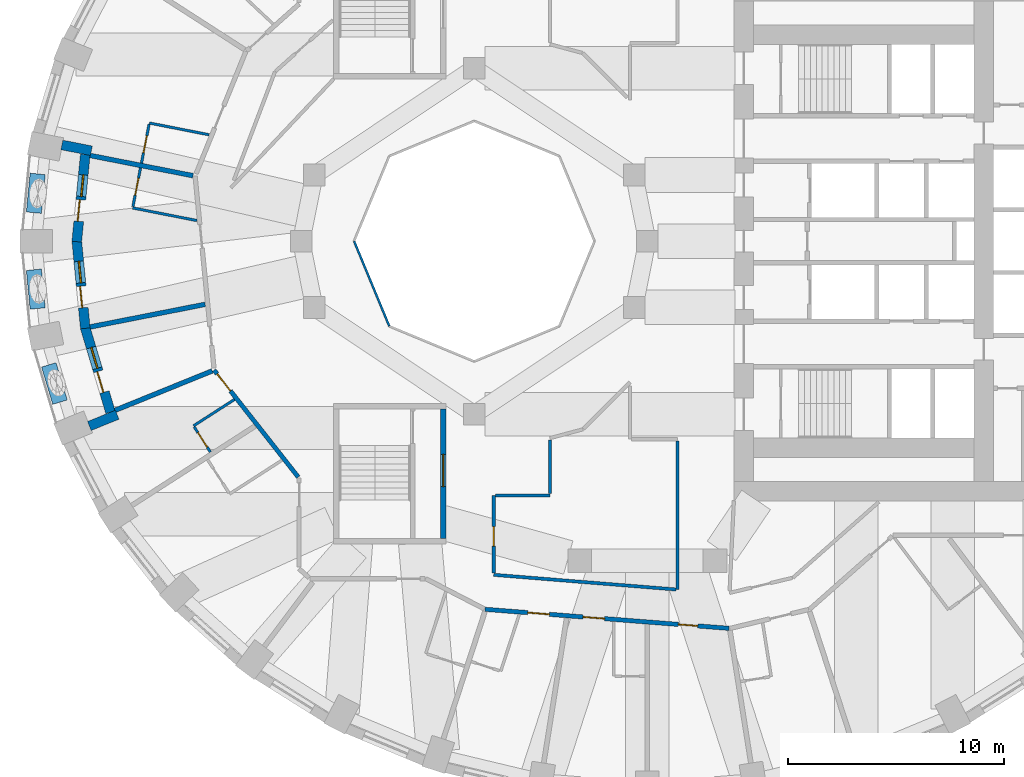
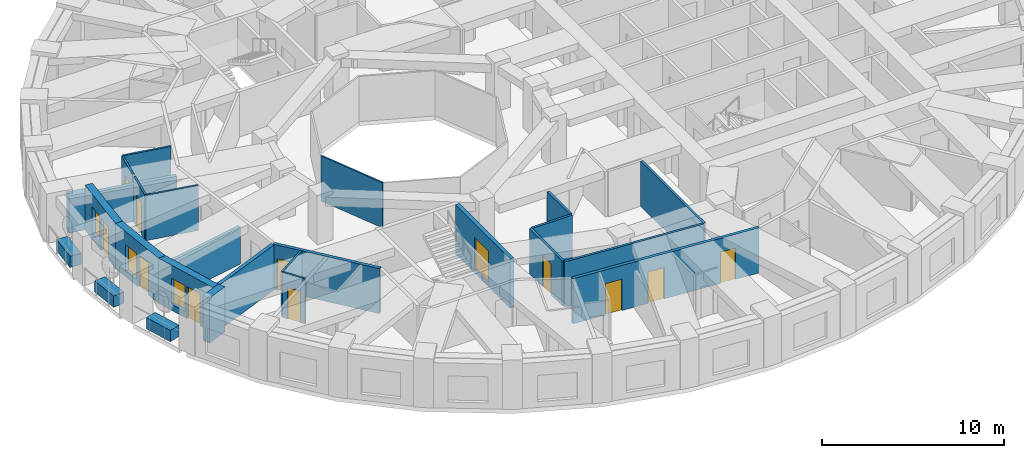
# One storey, part 4 of 13: 26 walls, 12 doors, 3 windows, 15 openings.
"""IFC4 building model written with IfcOpenShell, lengths in metres."""

from ifc_helpers import new_model, si_unit, direction, frame, frame_2d, origin, place, context, subcontext, project, spatial, rectangle, extrude, material, layer, layer_set, constituent, constituent_set, type_object, element, fill, save


model = new_model("IFC4")

# Units and contexts
model_context = context("Model", 3, precision=1e-05, world=origin(), true_north=direction((0.0, 1.0)))
body_context = subcontext(model_context, "Body", "Model", "MODEL_VIEW")
ifc_project = project(units=[si_unit("LENGTHUNIT", "METRE"), si_unit("AREAUNIT", "SQUARE_METRE"), si_unit("VOLUMEUNIT", "CUBIC_METRE"), si_unit("PLANEANGLEUNIT", "RADIAN"), si_unit("MASSUNIT", "GRAM", prefix="KILO")], contexts=[model_context])

# Site, building, storey
site_placement = place(None, origin())
site = spatial("IfcSite", under=ifc_project, at=site_placement, CompositionType="ELEMENT")
building_placement = place(site_placement, origin())
building = spatial("IfcBuilding", under=site, at=building_placement, Name="Taillehof Tower", CompositionType="ELEMENT")
storey_placement = place(building_placement, frame((0.0, 0.0, 67.89990234375)))
storey = spatial("IfcBuildingStorey", under=building, at=storey_placement, Name="L18", CompositionType="ELEMENT", Elevation=67.89990234375)

# Walls
ifc_material_1 = material(Name="Fire-resisting glass in steel frame", Category="steel")
ifc_layer_1 = layer(ifc_material_1, 0.10009765625)
ifc_layer_set_1 = layer_set([ifc_layer_1], Name="Atrium fire-resisting screen EI 60 100")
wall_type_1 = type_object("IfcWallType", Name="Atrium fire-resisting screen EI 60 100", PredefinedType="PARTITIONING", material=ifc_layer_set_1)
wall_1_placement = place(storey_placement, frame((-11.92724609375, -3.92724609375, 0.0), z_axis=(0.0, 0.0, 1.0), x_axis=(-0.382730523909, 0.923860025149, 0.0)))
element("IfcWall", 1, at=wall_1_placement, inside=storey, type_object=wall_type_1, Name="Atrium screen", PredefinedType="PARTITIONING", context=body_context, shape_type="SweptSolid", body=[
    extrude(rectangle(XDim=4.2509765625, YDim=0.10009765625, at=frame_2d((2.12548828125, 0.0))), origin(), (0.0, 0.0, 1.0), 3.02001953125),
])
ifc_material_2 = material(Name="Brick masonry", Category="masonry")
ifc_layer_2 = layer(ifc_material_2, 0.449951171875)
ifc_layer_set_2 = layer_set([ifc_layer_2], Name="Brick infill wall 450")
wall_type_2 = type_object("IfcWallType", Name="Brick infill wall 450", PredefinedType="SOLIDWALL", material=ifc_layer_set_2)
wall_2_placement = place(storey_placement, frame((-27.06396484375, 4.449951171875, 0.0), z_axis=(0.0, 0.0, 1.0), x_axis=(0.98123042829, -0.192838913596, 0.0)))
element("IfcWall", 2, at=wall_2_placement, inside=storey, type_object=wall_type_2, Name="Brick reveal L18 pocket 5", PredefinedType="SOLIDWALL", context=body_context, shape_type="SweptSolid", body=[
    extrude(rectangle(XDim=1.39013671875, YDim=0.449951171875, at=frame_2d((0.695068359375, 0.0))), origin(), (0.0, 0.0, 1.0), 2.47021484375),
])
wall_3_placement = place(storey_placement, frame((-25.795654296875, -8.54443359375, 0.0), z_axis=(0.0, 0.0, 1.0), x_axis=(0.926575599743, 0.376108572039, 0.0)))
element("IfcWall", 3, at=wall_3_placement, inside=storey, type_object=wall_type_2, Name="Brick reveal L18 pocket 5", PredefinedType="SOLIDWALL", context=body_context, shape_type="SweptSolid", body=[
    extrude(rectangle(XDim=1.390380859375, YDim=0.449951171875, at=frame_2d((0.6953125, 0.0))), origin(), (0.0, 0.0, 1.0), 3.02001953125),
])

# Wall, openings, door, window
wall_4_placement = place(storey_placement, frame((-25.982666015625, 4.008056640625, 0.0), z_axis=(0.0, 0.0, 1.0), x_axis=(-0.097133468736, -0.995271364629, 0.0)))
wall_4 = element("IfcWall", 4, at=wall_4_placement, inside=storey, type_object=wall_type_2, Name="Brick wall L18 pocket bay 18", PredefinedType="SOLIDWALL", context=body_context, shape_type="SweptSolid", body=[
    extrude(rectangle(XDim=4.049072265625, YDim=0.449951171875, at=frame_2d((2.0244140625, 0.0))), origin(), (0.0, 0.0, 1.0), 3.02001953125),
])
opening_1_placement = place(wall_4_placement, frame((0.949462890625, 0.0, 0.39990234375)))
opening_1 = element("IfcOpeningElement", 5, at=opening_1_placement, cuts=wall_4, Name="Opening W5", PredefinedType="OPENING", context=body_context, shape_type="SweptSolid", body=[
    extrude(rectangle(XDim=1.0, YDim=1.75, at=frame_2d((0.5, 0.875))), frame((0.0, 0.23486328125, 0.0), z_axis=(0.0, -1.0, 0.0), x_axis=(1.0, 0.0, 0.0)), (0.0, 0.0, 1.0), 0.469970703125),
])
opening_2_placement = place(wall_4_placement, frame((2.099609375, 0.0, 0.0)))
opening_2 = element("IfcOpeningElement", 6, at=opening_2_placement, cuts=wall_4, Name="Opening D1891", PredefinedType="OPENING", context=body_context, shape_type="SweptSolid", body=[
    extrude(rectangle(XDim=1.0, YDim=2.14990234375, at=frame_2d((0.5, 1.074951171875))), frame((0.0, 0.23486328125, 0.0), z_axis=(0.0, -1.0, 0.0), x_axis=(1.0, 0.0, 0.0)), (0.0, 0.0, 1.0), 0.469970703125),
])
ifc_material_3 = material(Name="Aluminium door frame with clear double glazing", Category="aluminium")
door_type_1 = type_object("IfcDoorType", Name="Balcony door 1000x2150", OperationType="SINGLE_SWING_RIGHT", PredefinedType="DOOR", material=ifc_material_3)
door_1_placement = place(opening_2_placement, frame((1.0, 0.0, 0.0), z_axis=(0.0, 0.0, 1.0), x_axis=(-1.0, 0.0, 0.0)))
door_1 = element("IfcDoor", 7, at=door_1_placement, inside=storey, type_object=door_type_1, Name="Balcony door L18 bay 18", OperationType="SINGLE_SWING_RIGHT", OverallHeight=2.14990234375, OverallWidth=1.0, PredefinedType="DOOR", context=body_context, shape_type="SweptSolid", body=[
    extrude(rectangle(XDim=1.0, YDim=2.14990234375, at=frame_2d((0.5, 1.074951171875))), frame((0.0, 0.0751953125, 0.0), z_axis=(0.0, -1.0, 0.0), x_axis=(1.0, 0.0, 0.0)), (0.0, 0.0, 1.0), 0.050048828125),
])
fill(opening_2, door_1)
ifc_material_4 = material(Name="Aluminium window frame with clear double glazing", Category="aluminium")
window_type = type_object("IfcWindowType", Name="Fixed window 1000x1750", PartitioningType="SINGLE_PANEL", PredefinedType="WINDOW", material=ifc_material_4)
window_1_placement = place(opening_1_placement, origin())
window_1 = element("IfcWindow", 8, at=window_1_placement, inside=storey, type_object=window_type, Name="W5", OverallHeight=1.75, OverallWidth=1.0, PartitioningType="SINGLE_PANEL", PredefinedType="WINDOW", context=body_context, shape_type="SweptSolid", body=[
    extrude(rectangle(XDim=1.0, YDim=1.75, at=frame_2d((0.5, 0.875))), frame((0.0, 0.034912109375, 0.0), z_axis=(0.0, -1.0, 0.0), x_axis=(1.0, 0.0, 0.0)), (0.0, 0.0, 1.0), 0.06005859375),
])
fill(opening_1, window_1)

wall_5_placement = place(storey_placement, frame((-26.3759765625, 0.02197265625, 0.0), z_axis=(0.0, 0.0, 1.0), x_axis=(0.097092719726, -0.995275340685, 0.0)))
wall_5 = element("IfcWall", 9, at=wall_5_placement, inside=storey, type_object=wall_type_2, Name="Brick wall L18 pocket bay 19", PredefinedType="SOLIDWALL", context=body_context, shape_type="SweptSolid", body=[
    extrude(rectangle(XDim=4.071044921875, YDim=0.449951171875, at=frame_2d((2.03564453125, 0.0))), origin(), (0.0, 0.0, 1.0), 3.02001953125),
])
opening_3_placement = place(wall_5_placement, frame((0.96044921875, 0.0, 0.39990234375)))
opening_3 = element("IfcOpeningElement", 10, at=opening_3_placement, cuts=wall_5, Name="Opening W5", PredefinedType="OPENING", context=body_context, shape_type="SweptSolid", body=[
    extrude(rectangle(XDim=1.0, YDim=1.75, at=frame_2d((0.5, 0.875))), frame((0.0, 0.23486328125, 0.0), z_axis=(0.0, -1.0, 0.0), x_axis=(1.0, 0.0, 0.0)), (0.0, 0.0, 1.0), 0.469970703125),
])
opening_4_placement = place(wall_5_placement, frame((2.110595703125, 0.0, 0.0)))
opening_4 = element("IfcOpeningElement", 11, at=opening_4_placement, cuts=wall_5, Name="Opening D1892", PredefinedType="OPENING", context=body_context, shape_type="SweptSolid", body=[
    extrude(rectangle(XDim=1.0, YDim=2.14990234375, at=frame_2d((0.5, 1.074951171875))), frame((0.0, 0.23486328125, 0.0), z_axis=(0.0, -1.0, 0.0), x_axis=(1.0, 0.0, 0.0)), (0.0, 0.0, 1.0), 0.469970703125),
])
door_2_placement = place(opening_4_placement, frame((1.0, 0.0, 0.0), z_axis=(0.0, 0.0, 1.0), x_axis=(-1.0, 0.0, 0.0)))
door_2 = element("IfcDoor", 12, at=door_2_placement, inside=storey, type_object=door_type_1, Name="Balcony door L18 bay 19", OperationType="SINGLE_SWING_LEFT", OverallHeight=2.14990234375, OverallWidth=1.0, PredefinedType="DOOR", context=body_context, shape_type="SweptSolid", body=[
    extrude(rectangle(XDim=1.0, YDim=2.14990234375, at=frame_2d((0.5, 1.074951171875))), frame((0.0, 0.0751953125, 0.0), z_axis=(0.0, -1.0, 0.0), x_axis=(1.0, 0.0, 0.0)), (0.0, 0.0, 1.0), 0.050048828125),
])
fill(opening_4, door_2)
window_2_placement = place(opening_3_placement, origin())
window_2 = element("IfcWindow", 13, at=window_2_placement, inside=storey, type_object=window_type, Name="W5", OverallHeight=1.75, OverallWidth=1.0, PartitioningType="SINGLE_PANEL", PredefinedType="WINDOW", context=body_context, shape_type="SweptSolid", body=[
    extrude(rectangle(XDim=1.0, YDim=1.75, at=frame_2d((0.5, 0.875))), frame((0.0, 0.034912109375, 0.0), z_axis=(0.0, -1.0, 0.0), x_axis=(1.0, 0.0, 0.0)), (0.0, 0.0, 1.0), 0.06005859375),
])
fill(opening_3, window_2)

wall_6_placement = place(storey_placement, frame((-25.989013671875, -3.9873046875, 0.0), z_axis=(0.0, 0.0, 1.0), x_axis=(0.286427456555, -0.958101932015, 0.0)))
wall_6 = element("IfcWall", 14, at=wall_6_placement, inside=storey, type_object=wall_type_2, Name="Brick wall L18 pocket bay 20", PredefinedType="SOLIDWALL", context=body_context, shape_type="SweptSolid", body=[
    extrude(rectangle(XDim=4.0888671875, YDim=0.449951171875, at=frame_2d((2.04443359375, 0.0))), origin(), (0.0, 0.0, 1.0), 3.02001953125),
])
opening_5_placement = place(wall_6_placement, frame((0.969482421875, 0.0, 0.39990234375)))
opening_5 = element("IfcOpeningElement", 15, at=opening_5_placement, cuts=wall_6, Name="Opening W5", PredefinedType="OPENING", context=body_context, shape_type="SweptSolid", body=[
    extrude(rectangle(XDim=1.0, YDim=1.75, at=frame_2d((0.5, 0.875))), frame((0.0, 0.23486328125, 0.0), z_axis=(0.0, -1.0, 0.0), x_axis=(1.0, 0.0, 0.0)), (0.0, 0.0, 1.0), 0.469970703125),
])
opening_6_placement = place(wall_6_placement, frame((2.119384765625, 0.0, 0.0)))
opening_6 = element("IfcOpeningElement", 16, at=opening_6_placement, cuts=wall_6, Name="Opening D1893", PredefinedType="OPENING", context=body_context, shape_type="SweptSolid", body=[
    extrude(rectangle(XDim=1.0, YDim=2.14990234375, at=frame_2d((0.5, 1.074951171875))), frame((0.0, 0.23486328125, 0.0), z_axis=(0.0, -1.0, 0.0), x_axis=(1.0, 0.0, 0.0)), (0.0, 0.0, 1.0), 0.469970703125),
])
door_3_placement = place(opening_6_placement, frame((1.0, 0.0, 0.0), z_axis=(0.0, 0.0, 1.0), x_axis=(-1.0, 0.0, 0.0)))
door_3 = element("IfcDoor", 17, at=door_3_placement, inside=storey, type_object=door_type_1, Name="Balcony door L18 bay 20", OperationType="SINGLE_SWING_LEFT", OverallHeight=2.14990234375, OverallWidth=1.0, PredefinedType="DOOR", context=body_context, shape_type="SweptSolid", body=[
    extrude(rectangle(XDim=1.0, YDim=2.14990234375, at=frame_2d((0.5, 1.074951171875))), frame((0.0, 0.0751953125, 0.0), z_axis=(0.0, -1.0, 0.0), x_axis=(1.0, 0.0, 0.0)), (0.0, 0.0, 1.0), 0.050048828125),
])
fill(opening_6, door_3)
window_3_placement = place(opening_5_placement, origin())
window_3 = element("IfcWindow", 18, at=window_3_placement, inside=storey, type_object=window_type, Name="W5", OverallHeight=1.75, OverallWidth=1.0, PartitioningType="SINGLE_PANEL", PredefinedType="WINDOW", context=body_context, shape_type="SweptSolid", body=[
    extrude(rectangle(XDim=1.0, YDim=1.75, at=frame_2d((0.5, 0.875))), frame((0.0, 0.034912109375, 0.0), z_axis=(0.0, -1.0, 0.0), x_axis=(1.0, 0.0, 0.0)), (0.0, 0.0, 1.0), 0.06005859375),
])
fill(opening_5, window_3)

# Wall, openings, doors
ifc_material_5 = material(Name="Gypsum board on steel studs, two layers each side", Category="steel")
ifc_layer_3 = layer(ifc_material_5, 0.199951171875)
ifc_layer_set_3 = layer_set([ifc_layer_3], Name="Compartment wall corridor 200")
wall_type_3 = type_object("IfcWallType", Name="Compartment wall corridor 200", PredefinedType="PARTITIONING", material=ifc_layer_set_3)
wall_7_placement = place(storey_placement, frame((3.77783203125, -17.897705078125, 0.0), z_axis=(0.0, 0.0, 1.0), x_axis=(-0.996963005503, 0.077876605336, 0.0)))
wall_7 = element("IfcWall", 19, at=wall_7_placement, inside=storey, type_object=wall_type_3, Name="Compartment wall", PredefinedType="PARTITIONING", context=body_context, shape_type="SweptSolid", body=[
    extrude(rectangle(XDim=11.31103515625, YDim=0.199951171875, at=frame_2d((5.655517578125, 0.0))), origin(), (0.0, 0.0, 1.0), 3.02001953125),
])
opening_7_placement = place(wall_7_placement, frame((8.32958984375, 0.0, 0.0)))
opening_7 = element("IfcOpeningElement", 20, at=opening_7_placement, cuts=wall_7, Name="Opening D1866", PredefinedType="OPENING", context=body_context, shape_type="SweptSolid", body=[
    extrude(rectangle(XDim=1.0, YDim=2.10009765625, at=frame_2d((0.5, 1.050048828125))), frame((0.0, 0.10986328125, 0.0), z_axis=(0.0, -1.0, 0.0), x_axis=(1.0, 0.0, 0.0)), (0.0, 0.0, 1.0), 0.219970703125),
])
opening_8_placement = place(wall_7_placement, frame((5.77001953125, 0.0, 0.0)))
opening_8 = element("IfcOpeningElement", 21, at=opening_8_placement, cuts=wall_7, Name="Opening D1868", PredefinedType="OPENING", context=body_context, shape_type="SweptSolid", body=[
    extrude(rectangle(XDim=1.0, YDim=2.10009765625, at=frame_2d((0.5, 1.050048828125))), frame((0.0, 0.10986328125, 0.0), z_axis=(0.0, -1.0, 0.0), x_axis=(1.0, 0.0, 0.0)), (0.0, 0.0, 1.0), 0.219970703125),
])
opening_9_placement = place(wall_7_placement, frame((1.44970703125, 0.0, 0.0)))
opening_9 = element("IfcOpeningElement", 22, at=opening_9_placement, cuts=wall_7, Name="Opening D1870", PredefinedType="OPENING", context=body_context, shape_type="SweptSolid", body=[
    extrude(rectangle(XDim=0.89990234375, YDim=2.10009765625, at=frame_2d((0.449951171875, 1.050048828125))), frame((0.0, 0.10986328125, 0.0), z_axis=(0.0, -1.0, 0.0), x_axis=(1.0, 0.0, 0.0)), (0.0, 0.0, 1.0), 0.219970703125),
])
ifc_material_6 = material(Name="Timber door leaf in steel frame", Category="steel")
door_type_2 = type_object("IfcDoorType", Name="Guest room door EI 30 1000 x 2100", OperationType="SINGLE_SWING_LEFT", PredefinedType="DOOR", material=ifc_material_6)
door_4_placement = place(opening_7_placement, origin())
door_4 = element("IfcDoor", 23, at=door_4_placement, inside=storey, type_object=door_type_2, Name="D1866", OperationType="SINGLE_SWING_RIGHT", OverallHeight=2.10009765625, OverallWidth=1.0, PredefinedType="DOOR", context=body_context, shape_type="SweptSolid", body=[
    extrude(rectangle(XDim=1.0, YDim=2.10009765625, at=frame_2d((0.5, 1.050048828125))), frame((0.0, 0.02490234375, 0.0), z_axis=(0.0, -1.0, 0.0), x_axis=(1.0, 0.0, 0.0)), (0.0, 0.0, 1.0), 0.050048828125),
])
fill(opening_7, door_4)
door_5_placement = place(opening_8_placement, origin())
door_5 = element("IfcDoor", 24, at=door_5_placement, inside=storey, type_object=door_type_2, Name="D1868", OperationType="SINGLE_SWING_LEFT", OverallHeight=2.10009765625, OverallWidth=1.0, PredefinedType="DOOR", context=body_context, shape_type="SweptSolid", body=[
    extrude(rectangle(XDim=1.0, YDim=2.10009765625, at=frame_2d((0.5, 1.050048828125))), frame((0.0, 0.02490234375, 0.0), z_axis=(0.0, -1.0, 0.0), x_axis=(1.0, 0.0, 0.0)), (0.0, 0.0, 1.0), 0.050048828125),
])
fill(opening_8, door_5)
ifc_material_7 = material(Name="Timber door leaf in steel frame", Category="steel")
door_type_3 = type_object("IfcDoorType", Name="Service room door EI 30 900 x 2100", OperationType="SINGLE_SWING_LEFT", PredefinedType="DOOR", material=ifc_material_7)
door_6_placement = place(opening_9_placement, origin())
door_6 = element("IfcDoor", 25, at=door_6_placement, inside=storey, type_object=door_type_3, Name="D1870", OperationType="SINGLE_SWING_RIGHT", OverallHeight=2.10009765625, OverallWidth=0.89990234375, PredefinedType="DOOR", context=body_context, shape_type="SweptSolid", body=[
    extrude(rectangle(XDim=0.89990234375, YDim=2.10009765625, at=frame_2d((0.449951171875, 1.050048828125))), frame((0.0, 0.02490234375, 0.0), z_axis=(0.0, -1.0, 0.0), x_axis=(1.0, 0.0, 0.0)), (0.0, 0.0, 1.0), 0.050048828125),
])
fill(opening_9, door_6)

# Wall, opening, door
wall_8_placement = place(storey_placement, frame((-16.137451171875, -10.904052734375, 0.0), z_axis=(0.0, 0.0, 1.0), x_axis=(-0.617888403737, 0.786265807808, 0.0)))
wall_8 = element("IfcWall", 26, at=wall_8_placement, inside=storey, type_object=wall_type_3, Name="Compartment wall", PredefinedType="PARTITIONING", context=body_context, shape_type="SweptSolid", body=[
    extrude(rectangle(XDim=6.2900390625, YDim=0.199951171875, at=frame_2d((3.14501953125, 0.0))), origin(), (0.0, 0.0, 1.0), 3.02001953125),
])
opening_10_placement = place(wall_8_placement, frame((5.06982421875, 0.0, 0.0)))
opening_10 = element("IfcOpeningElement", 27, at=opening_10_placement, cuts=wall_8, Name="Opening D1860", PredefinedType="OPENING", context=body_context, shape_type="SweptSolid", body=[
    extrude(rectangle(XDim=1.0, YDim=2.10009765625, at=frame_2d((0.5, 1.050048828125))), frame((0.0, 0.10986328125, 0.0), z_axis=(0.0, -1.0, 0.0), x_axis=(1.0, 0.0, 0.0)), (0.0, 0.0, 1.0), 0.219970703125),
])
door_7_placement = place(opening_10_placement, origin())
door_7 = element("IfcDoor", 28, at=door_7_placement, inside=storey, type_object=door_type_2, Name="D1860", OperationType="SINGLE_SWING_RIGHT", OverallHeight=2.10009765625, OverallWidth=1.0, PredefinedType="DOOR", context=body_context, shape_type="SweptSolid", body=[
    extrude(rectangle(XDim=1.0, YDim=2.10009765625, at=frame_2d((0.5, 1.050048828125))), frame((0.0, 0.02490234375, 0.0), z_axis=(0.0, -1.0, 0.0), x_axis=(1.0, 0.0, 0.0)), (0.0, 0.0, 1.0), 0.050048828125),
])
fill(opening_10, door_7)

# Walls
ifc_material_8 = material(Name="Gypsum board on double steel studs with mineral wool", Category="steel")
ifc_layer_4 = layer(ifc_material_8, 0.219970703125)
ifc_layer_set_4 = layer_set([ifc_layer_4], Name="Compartment wall guest room 220")
wall_type_4 = type_object("IfcWallType", Name="Compartment wall guest room 220", PredefinedType="PARTITIONING", material=ifc_layer_set_4)
wall_9_placement = place(storey_placement, frame((-25.760986328125, 3.96435546875, 0.0), z_axis=(0.0, 0.0, 1.0), x_axis=(0.981216494224, -0.192909801364, 0.0)))
element("IfcWall", 29, at=wall_9_placement, inside=storey, type_object=wall_type_4, Name="Compartment wall", PredefinedType="PARTITIONING", context=body_context, shape_type="SweptSolid", body=[
    extrude(rectangle(XDim=4.848388671875, YDim=0.219970703125, at=frame_2d((2.42431640625, 0.0))), origin(), (0.0, 0.0, 1.0), 2.47021484375),
])
wall_10_placement = place(storey_placement, frame((-25.760986328125, -3.96435546875, 0.0), z_axis=(0.0, 0.0, 1.0), x_axis=(0.981209698951, 0.192944361627, 0.0)))
element("IfcWall", 30, at=wall_10_placement, inside=storey, type_object=wall_type_4, Name="Compartment wall", PredefinedType="PARTITIONING", context=body_context, shape_type="SweptSolid", body=[
    extrude(rectangle(XDim=5.41943359375, YDim=0.219970703125, at=frame_2d((2.709716796875, 0.0))), origin(), (0.0, 0.0, 1.0), 2.47021484375),
])
wall_11_placement = place(storey_placement, frame((-24.6083984375, -7.81982421875, 0.0), z_axis=(0.0, 0.0, 1.0), x_axis=(0.92655764882, 0.376152792643, 0.0)))
element("IfcWall", 31, at=wall_11_placement, inside=storey, type_object=wall_type_4, Name="Compartment wall", PredefinedType="PARTITIONING", context=body_context, shape_type="SweptSolid", body=[
    extrude(rectangle(XDim=4.84765625, YDim=0.219970703125, at=frame_2d((2.423828125, 0.0))), origin(), (0.0, 0.0, 1.0), 3.02001953125),
])
ifc_material_9 = material(Name="Gypsum board on steel studs, two layers each side", Category="steel")
ifc_layer_5 = layer(ifc_material_9, 0.14990234375)
ifc_layer_set_5 = layer_set([ifc_layer_5], Name="Compartment wall service room 150")
wall_type_5 = type_object("IfcWallType", Name="Compartment wall service room 150", PredefinedType="PARTITIONING", material=ifc_layer_set_5)
wall_12_placement = place(storey_placement, frame((1.39990234375, -9.22998046875, 0.0), z_axis=(0.0, 0.0, 1.0), x_axis=(0.0, -1.0, 0.0)))
element("IfcWall", 32, at=wall_12_placement, inside=storey, type_object=wall_type_5, Name="Compartment wall", PredefinedType="PARTITIONING", context=body_context, shape_type="SweptSolid", body=[
    extrude(rectangle(XDim=6.876953125, YDim=0.14990234375, at=frame_2d((3.4384765625, 0.0))), origin(), (0.0, 0.0, 1.0), 3.02001953125),
])
wall_13_placement = place(storey_placement, frame((1.31982421875, -16.10009765625, 0.0), z_axis=(0.0, 0.0, 1.0), x_axis=(-0.996773882711, 0.080260991426, 0.0)))
element("IfcWall", 33, at=wall_13_placement, inside=storey, type_object=wall_type_5, Name="Compartment wall", PredefinedType="PARTITIONING", context=body_context, shape_type="SweptSolid", body=[
    extrude(rectangle(XDim=8.447265625, YDim=0.14990234375, at=frame_2d((4.2236328125, 0.0))), origin(), (0.0, 0.0, 1.0), 3.02001953125),
])

# Wall, opening, door
wall_14_placement = place(storey_placement, frame((-7.10009765625, -15.342041015625, 0.0), z_axis=(0.0, 0.0, 1.0), x_axis=(0.0, 1.0, 0.0)))
wall_14 = element("IfcWall", 34, at=wall_14_placement, inside=storey, type_object=wall_type_5, Name="Compartment wall", PredefinedType="PARTITIONING", context=body_context, shape_type="SweptSolid", body=[
    extrude(rectangle(XDim=3.592041015625, YDim=0.14990234375, at=frame_2d((1.7958984375, 0.0))), origin(), (0.0, 0.0, 1.0), 3.02001953125),
])
opening_11_placement = place(wall_14_placement, frame((1.24365234375, 0.0, 0.0)))
opening_11 = element("IfcOpeningElement", 35, at=opening_11_placement, cuts=wall_14, Name="Opening D1881", PredefinedType="OPENING", context=body_context, shape_type="SweptSolid", body=[
    extrude(rectangle(XDim=0.89990234375, YDim=2.10009765625, at=frame_2d((0.449951171875, 1.050048828125))), frame((0.0, 0.0849609375, 0.0), z_axis=(0.0, -1.0, 0.0), x_axis=(1.0, 0.0, 0.0)), (0.0, 0.0, 1.0), 0.169921875),
])
door_8_placement = place(opening_11_placement, origin())
door_8 = element("IfcDoor", 36, at=door_8_placement, inside=storey, type_object=door_type_3, Name="D1881", OperationType="SINGLE_SWING_RIGHT", OverallHeight=2.10009765625, OverallWidth=0.89990234375, PredefinedType="DOOR", context=body_context, shape_type="SweptSolid", body=[
    extrude(rectangle(XDim=0.89990234375, YDim=2.10009765625, at=frame_2d((0.449951171875, 1.050048828125))), frame((0.0, 0.02490234375, 0.0), z_axis=(0.0, -1.0, 0.0), x_axis=(1.0, 0.0, 0.0)), (0.0, 0.0, 1.0), 0.050048828125),
])
fill(opening_11, door_8)

# Walls
wall_15_placement = place(storey_placement, frame((-7.02001953125, -11.75, 0.0), z_axis=(0.0, 0.0, 1.0), x_axis=(1.0, 0.0, 0.0)))
element("IfcWall", 37, at=wall_15_placement, inside=storey, type_object=wall_type_5, Name="Compartment wall", PredefinedType="PARTITIONING", context=body_context, shape_type="SweptSolid", body=[
    extrude(rectangle(XDim=2.52001953125, YDim=0.14990234375, at=frame_2d((1.260009765625, 0.0))), origin(), (0.0, 0.0, 1.0), 3.02001953125),
])
wall_16_placement = place(storey_placement, frame((-4.5, -11.669921875, 0.0), z_axis=(0.0, 0.0, 1.0), x_axis=(0.0, 1.0, 0.0)))
element("IfcWall", 38, at=wall_16_placement, inside=storey, type_object=wall_type_5, Name="Compartment wall", PredefinedType="PARTITIONING", context=body_context, shape_type="SweptSolid", body=[
    extrude(rectangle(XDim=2.485595703125, YDim=0.14990234375, at=frame_2d((1.24267578125, 0.0))), origin(), (0.0, 0.0, 1.0), 3.02001953125),
])
ifc_material_10 = material(Name="Gypsum board on steel studs, moisture resistant", Category="steel")
ifc_layer_6 = layer(ifc_material_10, 0.1201171875)
ifc_layer_set_6 = layer_set([ifc_layer_6], Name="En-suite wall 120")
wall_type_6 = type_object("IfcWallType", Name="En-suite wall 120", PredefinedType="PARTITIONING", material=ifc_layer_set_6)
wall_17_placement = place(storey_placement, frame((-20.2568359375, 4.920166015625, 0.0), z_axis=(0.0, 0.0, 1.0), x_axis=(-0.981202530622, 0.192980812261, 0.0)))
element("IfcWall", 39, at=wall_17_placement, inside=storey, type_object=wall_type_6, Name="En-suite wall", PredefinedType="PARTITIONING", context=body_context, shape_type="SweptSolid", body=[
    extrude(rectangle(XDim=2.816162109375, YDim=0.1201171875, at=frame_2d((1.408203125, 0.0))), origin(), (0.0, 0.0, 1.0), 3.02001953125),
])
wall_18_placement = place(storey_placement, frame((-20.823486328125, 0.955078125, 0.0), z_axis=(0.0, 0.0, 1.0), x_axis=(-0.981208735185, 0.192949262754, 0.0)))
element("IfcWall", 40, at=wall_18_placement, inside=storey, type_object=wall_type_6, Name="En-suite wall", PredefinedType="PARTITIONING", context=body_context, shape_type="SweptSolid", body=[
    extrude(rectangle(XDim=3.025390625, YDim=0.1201171875, at=frame_2d((1.5126953125, 0.0))), origin(), (0.0, 0.0, 1.0), 3.02001953125),
])
wall_19_placement = place(storey_placement, frame((-19.083984375, -7.316162109375, 0.0), z_axis=(0.0, 0.0, 1.0), x_axis=(-0.840762836723, -0.54140359473, 0.0)))
element("IfcWall", 41, at=wall_19_placement, inside=storey, type_object=wall_type_6, Name="En-suite wall", PredefinedType="PARTITIONING", context=body_context, shape_type="SweptSolid", body=[
    extrude(rectangle(XDim=2.25341796875, YDim=0.1201171875, at=frame_2d((1.126708984375, 0.0))), origin(), (0.0, 0.0, 1.0), 3.02001953125),
])

# Wall, opening, door
wall_20_placement = place(storey_placement, frame((-23.03173828125, 5.405029296875, 0.0), z_axis=(0.0, 0.0, 1.0), x_axis=(-0.19288291118, -0.981221780524, 0.0)))
wall_20 = element("IfcWall", 42, at=wall_20_placement, inside=storey, type_object=wall_type_6, Name="En-suite wall", PredefinedType="PARTITIONING", context=body_context, shape_type="SweptSolid", body=[
    extrude(rectangle(XDim=1.830322265625, YDim=0.1201171875, at=frame_2d((0.9150390625, 0.0))), origin(), (0.0, 0.0, 1.0), 3.02001953125),
])
opening_12_placement = place(wall_20_placement, frame((0.5400390625, 0.0, 0.0)))
opening_12 = element("IfcOpeningElement", 43, at=opening_12_placement, cuts=wall_20, Name="Opening D1856", PredefinedType="OPENING", context=body_context, shape_type="SweptSolid", body=[
    extrude(rectangle(XDim=0.800048828125, YDim=2.10009765625, at=frame_2d((0.39990234375, 1.050048828125))), frame((0.0, 0.070068359375, 0.0), z_axis=(0.0, -1.0, 0.0), x_axis=(1.0, 0.0, 0.0)), (0.0, 0.0, 1.0), 0.14013671875),
])
ifc_material_11 = material(Name="Timber door leaf in steel frame", Category="steel")
door_type_4 = type_object("IfcDoorType", Name="En-suite door 800 x 2100", OperationType="SINGLE_SWING_LEFT", PredefinedType="DOOR", material=ifc_material_11)
door_9_placement = place(opening_12_placement, origin())
door_9 = element("IfcDoor", 44, at=door_9_placement, inside=storey, type_object=door_type_4, Name="D1856", OperationType="SINGLE_SWING_LEFT", OverallHeight=2.10009765625, OverallWidth=0.800048828125, PredefinedType="DOOR", context=body_context, shape_type="SweptSolid", body=[
    extrude(rectangle(XDim=0.800048828125, YDim=2.10009765625, at=frame_2d((0.39990234375, 1.050048828125))), frame((0.0, 0.02490234375, 0.0), z_axis=(0.0, -1.0, 0.0), x_axis=(1.0, 0.0, 0.0)), (0.0, 0.0, 1.0), 0.050048828125),
])
fill(opening_12, door_9)

wall_21_placement = place(storey_placement, frame((-23.780517578125, 1.59765625, 0.0), z_axis=(0.0, 0.0, 1.0), x_axis=(0.193036598643, 0.981191557029, 0.0)))
wall_21 = element("IfcWall", 45, at=wall_21_placement, inside=storey, type_object=wall_type_6, Name="En-suite wall", PredefinedType="PARTITIONING", context=body_context, shape_type="SweptSolid", body=[
    extrude(rectangle(XDim=1.830078125, YDim=0.1201171875, at=frame_2d((0.9150390625, 0.0))), origin(), (0.0, 0.0, 1.0), 3.02001953125),
])
opening_13_placement = place(wall_21_placement, frame((0.5400390625, 0.0, 0.0)))
opening_13 = element("IfcOpeningElement", 46, at=opening_13_placement, cuts=wall_21, Name="Opening D1858", PredefinedType="OPENING", context=body_context, shape_type="SweptSolid", body=[
    extrude(rectangle(XDim=0.800048828125, YDim=2.10009765625, at=frame_2d((0.39990234375, 1.050048828125))), frame((0.0, 0.070068359375, 0.0), z_axis=(0.0, -1.0, 0.0), x_axis=(1.0, 0.0, 0.0)), (0.0, 0.0, 1.0), 0.14013671875),
])
door_10_placement = place(opening_13_placement, origin())
door_10 = element("IfcDoor", 47, at=door_10_placement, inside=storey, type_object=door_type_4, Name="D1858", OperationType="SINGLE_SWING_RIGHT", OverallHeight=2.10009765625, OverallWidth=0.800048828125, PredefinedType="DOOR", context=body_context, shape_type="SweptSolid", body=[
    extrude(rectangle(XDim=0.800048828125, YDim=2.10009765625, at=frame_2d((0.39990234375, 1.050048828125))), frame((0.0, 0.02490234375, 0.0), z_axis=(0.0, -1.0, 0.0), x_axis=(1.0, 0.0, 0.0)), (0.0, 0.0, 1.0), 0.050048828125),
])
fill(opening_13, door_10)

wall_22_placement = place(storey_placement, frame((-20.9462890625, -8.586669921875, 0.0), z_axis=(0.0, 0.0, 1.0), x_axis=(0.541526323973, -0.840683793375, 0.0)))
wall_22 = element("IfcWall", 48, at=wall_22_placement, inside=storey, type_object=wall_type_6, Name="En-suite wall", PredefinedType="PARTITIONING", context=body_context, shape_type="SweptSolid", body=[
    extrude(rectangle(XDim=1.380126953125, YDim=0.1201171875, at=frame_2d((0.68994140625, 0.0))), origin(), (0.0, 0.0, 1.0), 3.02001953125),
])
opening_14_placement = place(wall_22_placement, frame((0.31494140625, 0.0, 0.0)))
opening_14 = element("IfcOpeningElement", 49, at=opening_14_placement, cuts=wall_22, Name="Opening D1861", PredefinedType="OPENING", context=body_context, shape_type="SweptSolid", body=[
    extrude(rectangle(XDim=0.800048828125, YDim=2.10009765625, at=frame_2d((0.39990234375, 1.050048828125))), frame((0.0, 0.070068359375, 0.0), z_axis=(0.0, -1.0, 0.0), x_axis=(1.0, 0.0, 0.0)), (0.0, 0.0, 1.0), 0.14013671875),
])
door_11_placement = place(opening_14_placement, origin())
door_11 = element("IfcDoor", 50, at=door_11_placement, inside=storey, type_object=door_type_4, Name="D1861", OperationType="SINGLE_SWING_LEFT", OverallHeight=2.10009765625, OverallWidth=0.800048828125, PredefinedType="DOOR", context=body_context, shape_type="SweptSolid", body=[
    extrude(rectangle(XDim=0.800048828125, YDim=2.10009765625, at=frame_2d((0.39990234375, 1.050048828125))), frame((0.0, 0.02490234375, 0.0), z_axis=(0.0, -1.0, 0.0), x_axis=(1.0, 0.0, 0.0)), (0.0, 0.0, 1.0), 0.050048828125),
])
fill(opening_14, door_11)

# Walls
ifc_material_12 = material(Name="Concrete C30/37 precast", Category="concrete")
ifc_constituent_1 = constituent(ifc_material_12, Name="Structure", Category="concrete")
ifc_material_13 = material(Name="Insulated lining")
ifc_constituent_2 = constituent(ifc_material_13, Name="Lining")
ifc_constituent_set = constituent_set(constituents=[ifc_constituent_1, ifc_constituent_2], Name="Planter trough 700x750")
wall_type_7 = type_object("IfcWallType", Name="Planter trough 700x750", PredefinedType="USERDEFINED", material=ifc_constituent_set)
for number, where, z_axis, x_axis, name in (
    (51, (-28.18310546875, 3.11083984375, 0.0), (0.0, 0.0, 1.0), (-0.097381768628, -0.995247100543, 0.0), "Planter L18 bay 18"),
    (52, (-28.3583984375, -1.3193359375, 0.0), (0.0, 0.0, 1.0), (0.097381768628, -0.995247100543, 0.0), "Planter L18 bay 19"),
):
    element("IfcWall", number, at=place(storey_placement, frame(where, z_axis=z_axis, x_axis=x_axis)), inside=storey, type_object=wall_type_7, Name=name, ObjectType="PLANTER", PredefinedType="USERDEFINED", context=body_context, shape_type="SweptSolid", body=[
        extrude(rectangle(XDim=1.800048828125, YDim=0.699951171875, at=frame_2d((0.89990234375, 0.0))), origin(), (0.0, 0.0, 1.0), 0.75),
    ])
wall_23_placement = place(storey_placement, frame((-27.668701171875, -5.71533203125, 0.0), z_axis=(0.0, 0.0, 1.0), x_axis=(0.287024312863, -0.957923297465, 0.0)))
element("IfcWall", 53, at=wall_23_placement, inside=storey, type_object=wall_type_7, Name="Planter L18 bay 20", ObjectType="PLANTER", PredefinedType="USERDEFINED", context=body_context, shape_type="SweptSolid", body=[
    extrude(rectangle(XDim=1.7998046875, YDim=0.699951171875, at=frame_2d((0.89990234375, 0.0))), origin(), (0.0, 0.0, 1.0), 0.75),
])

# Wall, opening, door
ifc_material_14 = material(Name="Concrete C50/60", Category="concrete")
ifc_layer_7 = layer(ifc_material_14, 0.25)
ifc_layer_set_7 = layer_set([ifc_layer_7], Name="Stair wall C50/60 250")
wall_type_8 = type_object("IfcWallType", Name="Stair wall C50/60 250", PredefinedType="SHEAR", material=ifc_layer_set_7)
wall_24_placement = place(storey_placement, frame((-9.425048828125, -13.75, -0.27978515625), z_axis=(0.0, 0.0, 1.0), x_axis=(0.0, 1.0, 0.0)))
wall_24 = element("IfcWall", 54, at=wall_24_placement, inside=storey, type_object=wall_type_8, Name="Stair wall SC", PredefinedType="SHEAR", context=body_context, shape_type="SweptSolid", body=[
    extrude(rectangle(XDim=6.0, YDim=0.25, at=frame_2d((3.0, 0.0))), origin(), (0.0, 0.0, 1.0), 3.2998046875),
])
opening_15_placement = place(wall_24_placement, frame((2.39990234375, 0.0, 0.280029296875)))
opening_15 = element("IfcOpeningElement", 55, at=opening_15_placement, cuts=wall_24, Name="Opening D1820", PredefinedType="OPENING", context=body_context, shape_type="SweptSolid", body=[
    extrude(rectangle(XDim=1.5, YDim=2.10009765625, at=frame_2d((0.75, 1.050048828125))), frame((0.0, 0.135009765625, 0.0), z_axis=(0.0, -1.0, 0.0), x_axis=(1.0, 0.0, 0.0)), (0.0, 0.0, 1.0), 0.27001953125),
])
ifc_material_15 = material(Name="Steel-faced fire door", Category="steel")
door_type_5 = type_object("IfcDoorType", Name="Stair door 1500x2100", OperationType="DOUBLE_DOOR_SINGLE_SWING", PredefinedType="DOOR", material=ifc_material_15)
door_12_placement = place(opening_15_placement, origin())
door_12 = element("IfcDoor", 56, at=door_12_placement, inside=storey, type_object=door_type_5, Name="Stair door S4", OperationType="DOUBLE_DOOR_SINGLE_SWING", OverallHeight=2.10009765625, OverallWidth=1.5, PredefinedType="DOOR", context=body_context, shape_type="SweptSolid", body=[
    extrude(rectangle(XDim=1.5, YDim=2.10009765625, at=frame_2d((0.75, 1.050048828125))), frame((0.0, 0.02490234375, 0.0), z_axis=(0.0, -1.0, 0.0), x_axis=(1.0, 0.0, 0.0)), (0.0, 0.0, 1.0), 0.050048828125),
])
fill(opening_15, door_12)

save(model, "model.ifc")
